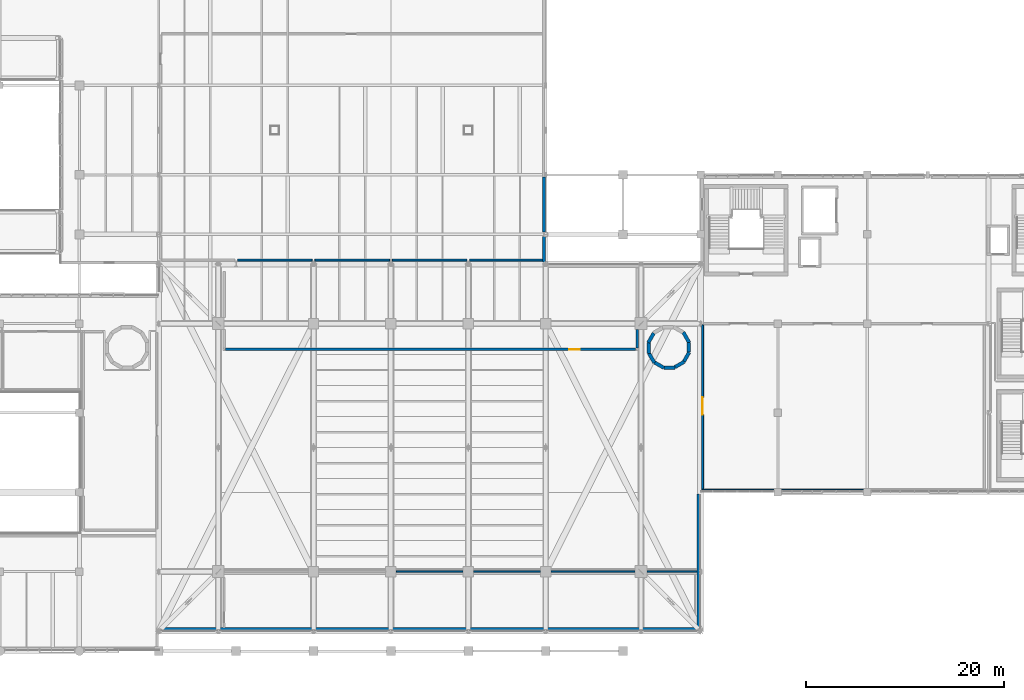
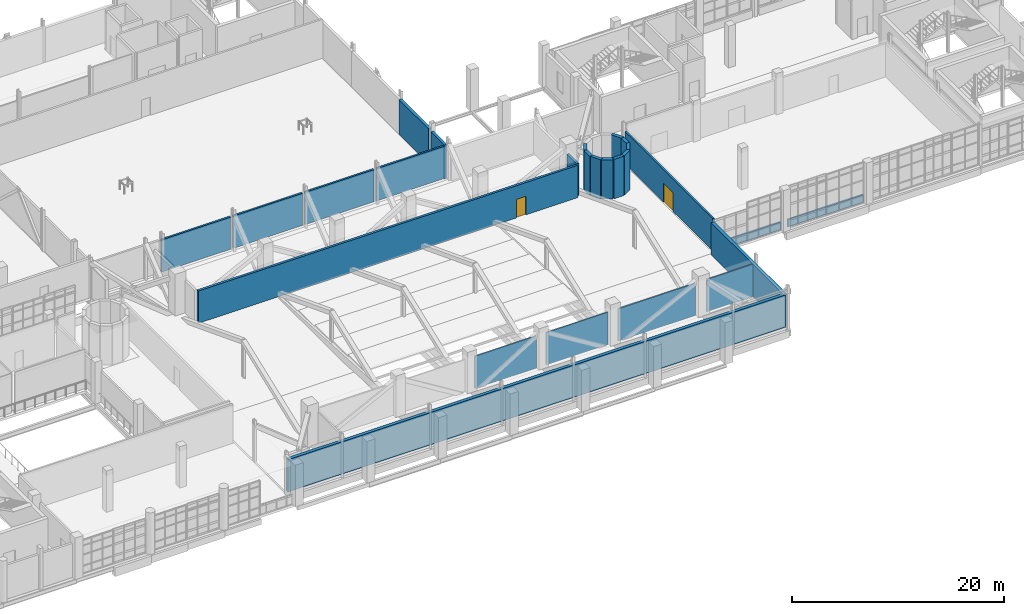
# One storey, part 113 of 127: 26 walls, 2 doors, 2 openings.
"""IFC4 building model written with IfcOpenShell, lengths in metres."""

from ifc_helpers import new_model, si_unit, derived_unit, direction, frame, frame_2d, origin, place, context, subcontext, project, spatial, rectangle, extrude, material, layer, layer_set, type_object, element, fill, save


model = new_model("IFC4")

# Units and contexts
model_context = context("Model", 3, precision=1e-05, world=origin(), true_north=direction((0.0, 1.0)))
body_context = subcontext(model_context, "Body", "Model", "MODEL_VIEW")
ifc_project = project(units=[si_unit("LENGTHUNIT", "METRE"), si_unit("AREAUNIT", "SQUARE_METRE"), si_unit("VOLUMEUNIT", "CUBIC_METRE"), si_unit("PLANEANGLEUNIT", "RADIAN"), si_unit("MASSUNIT", "GRAM", prefix="KILO"), derived_unit("THERMALTRANSMITTANCEUNIT", [(si_unit("POWERUNIT", "WATT"), 1), (si_unit("LENGTHUNIT", "METRE"), -2), (si_unit("THERMODYNAMICTEMPERATUREUNIT", "KELVIN"), -1)])], contexts=[model_context])

# Site, building, storey
site_placement = place(None, origin())
site = spatial("IfcSite", under=ifc_project, at=site_placement, CompositionType="ELEMENT")
building_placement = place(site_placement, origin())
building = spatial("IfcBuilding", under=site, at=building_placement, Name="Nallur Shell Playhouse", CompositionType="ELEMENT")
storey_placement = place(building_placement, frame((0.0, 0.0, 5.39990234375)))
storey = spatial("IfcBuildingStorey", under=building, at=storey_placement, Name="L02", CompositionType="ELEMENT", Elevation=5.39990234375)

# Walls
ifc_material_1 = material(Name="Concrete M45", Category="concrete")
ifc_layer_1 = layer(ifc_material_1, 0.39990234375)
ifc_layer_set_1 = layer_set([ifc_layer_1], Name="Concrete M45")
wall_type_1 = type_object("IfcWallType", Name="WL-CORE-400", PredefinedType="SHEAR", material=ifc_layer_set_1)
wall_1_placement = place(storey_placement, frame((117.46142578125, 39.08642578125, 0.0), z_axis=(0.0, 0.0, 1.0), x_axis=(-0.500080723117, 0.865978793255, 0.0)))
element("IfcWall", 1, at=wall_1_placement, inside=storey, type_object=wall_type_1, Name="Metabolist service drum DR-2 facet 1 (L02)", PredefinedType="SHEAR", context=body_context, shape_type="SweptSolid", body=[
    extrude(rectangle(XDim=1.218994140625, YDim=0.35009765625, at=frame_2d((0.609375, 0.0))), origin(), (0.0, 0.0, 1.0), 4.5400390625),
])
for number, where, z_axis, x_axis, name in (
    (2, (113.885009765625, 40.032958984375, 0.0), (0.0, 0.0, 1.0), (-0.499935162227, -0.866062834654, 0.0), "Metabolist service drum DR-2 facet 5 (L02)"),
    (3, (113.37158203125, 39.08349609375, 0.0), (0.0, 0.0, 1.0), (0.0, -1.0, 0.0), "Metabolist service drum DR-2 facet 6 (L02)"),
    (4, (113.401611328125, 38.00439453125, 0.0), (0.0, 0.0, 1.0), (0.499935162227, -0.866062834654, 0.0), "Metabolist service drum DR-2 facet 7 (L02)"),
    (5, (113.967041015625, 37.085205078125, 0.0), (0.0, 0.0, 1.0), (0.865966109163, -0.500102687236, 0.0), "Metabolist service drum DR-2 facet 8 (L02)"),
    (6, (114.91650390625, 36.571533203125, 0.0), (0.0, 0.0, 1.0), (1.0, 0.0, 0.0), "Metabolist service drum DR-2 facet 9 (L02)"),
    (7, (115.99560546875, 36.6015625, 0.0), (0.0, 0.0, 1.0), (0.865966109163, 0.500102687236, 0.0), "Metabolist service drum DR-2 facet 10 (L02)"),
    (8, (116.914794921875, 37.1669921875, 0.0), (0.0, 0.0, 1.0), (0.500102687236, 0.865966109163, 0.0), "Metabolist service drum DR-2 facet 11 (L02)"),
):
    element("IfcWall", number, at=place(storey_placement, frame(where, z_axis=z_axis, x_axis=x_axis)), inside=storey, type_object=wall_type_1, Name=name, PredefinedType="SHEAR", context=body_context, shape_type="SweptSolid", body=[
        extrude(rectangle(XDim=1.093017578125, YDim=0.35009765625, at=frame_2d((0.54638671875, 0.0))), origin(), (0.0, 0.0, 1.0), 4.5400390625),
    ])
wall_2_placement = place(storey_placement, frame((117.428466796875, 38.116455078125, 0.0), z_axis=(0.0, 0.0, 1.0), x_axis=(0.0, 1.0, 0.0)))
element("IfcWall", 9, at=wall_2_placement, inside=storey, type_object=wall_type_1, Name="Metabolist service drum DR-2 facet 12 (L02)", PredefinedType="SHEAR", context=body_context, shape_type="SweptSolid", body=[
    extrude(rectangle(XDim=0.967041015625, YDim=0.35009765625, at=frame_2d((0.4833984375, 0.0))), origin(), (0.0, 0.0, 1.0), 4.5400390625),
])
ifc_material_2 = material(Name="Concrete M35", Category="concrete")
ifc_layer_2 = layer(ifc_material_2, 0.35009765625)
ifc_layer_set_2 = layer_set([ifc_layer_2], Name="Concrete M35")
wall_type_2 = type_object("IfcWallType", Name="WL-EXT-AC350", PredefinedType="STANDARD", material=ifc_layer_set_2)
wall_3_placement = place(storey_placement, frame((118.405029296875, 23.81494140625, 0.0), z_axis=(0.0, 0.0, 1.0), x_axis=(0.0, -1.0, 0.0)))
element("IfcWall", 10, at=wall_3_placement, inside=storey, type_object=wall_type_2, Name="L02 exterior wall EW-L02-109", PredefinedType="STANDARD", context=body_context, shape_type="SweptSolid", body=[
    extrude(rectangle(XDim=13.6298828125, YDim=0.35009765625, at=frame_2d((6.81494140625, 0.0))), origin(), (0.0, 0.0, 1.0), 3.72509765625),
])
wall_4_placement = place(storey_placement, frame((118.4150390625, 10.195068359375, 0.0), z_axis=(0.0, 0.0, 1.0), x_axis=(-1.0, 0.0, 0.0)))
element("IfcWall", 11, at=wall_4_placement, inside=storey, type_object=wall_type_2, Name="L02 exterior wall EW-L02-110", PredefinedType="STANDARD", context=body_context, shape_type="SweptSolid", body=[
    extrude(rectangle(XDim=54.22998046875, YDim=0.35009765625, at=frame_2d((27.114990234375, 0.0))), origin(), (0.0, 0.0, 1.0), 3.72509765625),
])
ifc_layer_3 = layer(ifc_material_2, 0.300048828125)
ifc_layer_set_3 = layer_set([ifc_layer_3], Name="Concrete M35")
wall_type_3 = type_object("IfcWallType", Name="WL-EXT-RC300", PredefinedType="STANDARD", material=ifc_layer_set_3)
wall_5_placement = place(storey_placement, frame((102.830078125, 55.76708984375, 0.0), z_axis=(0.0, 0.0, 1.0), x_axis=(0.0, -1.0, 0.0)))
element("IfcWall", 12, at=wall_5_placement, inside=storey, type_object=wall_type_3, Name="L02 exterior wall EW-L02-100", PredefinedType="STANDARD", context=body_context, shape_type="SweptSolid", body=[
    extrude(rectangle(XDim=5.5341796875, YDim=0.300048828125, at=frame_2d((2.76708984375, 0.0))), origin(), (0.0, 0.0, 1.0), 3.97509765625),
])
wall_6_placement = place(storey_placement, frame((102.830078125, 49.76708984375, 0.0), z_axis=(0.0, 0.0, 1.0), x_axis=(0.0, -1.0, 0.0)))
element("IfcWall", 13, at=wall_6_placement, inside=storey, type_object=wall_type_3, Name="L02 exterior wall EW-L02-101", PredefinedType="STANDARD", context=body_context, shape_type="SweptSolid", body=[
    extrude(rectangle(XDim=2.5341796875, YDim=0.300048828125, at=frame_2d((1.26708984375, 0.0))), origin(), (0.0, 0.0, 1.0), 3.925048828125),
])
ifc_layer_4 = layer(ifc_material_2, 0.179931640625)
ifc_layer_set_4 = layer_set([ifc_layer_4], Name="Concrete M35")
wall_type_4 = type_object("IfcWallType", Name="WL-PARAPET-180", PredefinedType="PARAPET", material=ifc_layer_set_4)
wall_7_placement = place(storey_placement, frame((135.014892578125, 24.239990234375, 0.0), z_axis=(0.0, 0.0, 1.0), x_axis=(-1.0, 0.0, 0.0)))
element("IfcWall", 14, at=wall_7_placement, inside=storey, type_object=wall_type_4, Name="L02 curtain-wall internal spandrel upstand 019", PredefinedType="PARAPET", context=body_context, shape_type="SweptSolid", body=[
    extrude(rectangle(XDim=8.22998046875, YDim=0.179931640625, at=frame_2d((4.114990234375, 0.0))), origin(), (0.0, 0.0, 1.0), 0.880126953125),
])
wall_8_placement = place(storey_placement, frame((126.014892578125, 24.239990234375, 0.0), z_axis=(0.0, 0.0, 1.0), x_axis=(-1.0, 0.0, 0.0)))
element("IfcWall", 15, at=wall_8_placement, inside=storey, type_object=wall_type_4, Name="L02 curtain-wall internal spandrel upstand 020", PredefinedType="PARAPET", context=body_context, shape_type="SweptSolid", body=[
    extrude(rectangle(XDim=7.294921875, YDim=0.179931640625, at=frame_2d((3.6474609375, 0.0))), origin(), (0.0, 0.0, 1.0), 0.880126953125),
])

# Wall, opening, door
ifc_material_3 = material(Name="Concrete M30", Category="concrete")
ifc_layer_5 = layer(ifc_material_3, 0.199951171875)
ifc_layer_set_5 = layer_set([ifc_layer_5], Name="Concrete M30")
wall_type_5 = type_object("IfcWallType", Name="WL-PART-AC200", PredefinedType="PARTITIONING", material=ifc_layer_set_5)
wall_9_placement = place(storey_placement, frame((118.800048828125, 24.333984375, 0.0), z_axis=(0.0, 0.0, 1.0), x_axis=(0.0, 1.0, 0.0)))
wall_9 = element("IfcWall", 16, at=wall_9_placement, inside=storey, type_object=wall_type_5, Name="Studio Theatre Pre-Function Foyer partition IW-L02-0159", PredefinedType="PARTITIONING", context=body_context, shape_type="SweptSolid", body=[
    extrude(rectangle(XDim=16.5458984375, YDim=0.199951171875, at=frame_2d((8.27294921875, 0.0))), origin(), (0.0, 0.0, 1.0), 3.72021484375),
])
opening_1_placement = place(wall_9_placement, frame((7.466064453125, 0.0, 0.0)))
opening_1 = element("IfcOpeningElement", 17, at=opening_1_placement, cuts=wall_9, Name="Opening FD-FL1", PredefinedType="OPENING", context=body_context, shape_type="SweptSolid", body=[
    extrude(rectangle(XDim=1.800048828125, YDim=2.14990234375, at=frame_2d((0.89990234375, 1.074951171875))), frame((0.0, 0.10986328125, 0.0), z_axis=(0.0, -1.0, 0.0), x_axis=(1.0, 0.0, 0.0)), (0.0, 0.0, 1.0), 0.219970703125),
])
ifc_material_4 = material(Name="Firefighting Lobby Smoke-Seal Double Door")
door_type_1 = type_object("IfcDoorType", Name="DR-INT-FFL-DBL", OperationType="DOUBLE_DOOR_SINGLE_SWING", PredefinedType="DOOR", material=ifc_material_4)
door_1_placement = place(opening_1_placement, origin())
door_1 = element("IfcDoor", 18, at=door_1_placement, inside=storey, type_object=door_type_1, Name="L02 circulation link door 0059", OperationType="DOUBLE_DOOR_SINGLE_SWING", OverallHeight=2.14990234375, OverallWidth=1.800048828125, PredefinedType="DOOR", context=body_context, shape_type="SweptSolid", body=[
    extrude(rectangle(XDim=1.800048828125, YDim=2.14990234375, at=frame_2d((0.89990234375, 1.074951171875))), frame((0.0, 0.02490234375, 0.0), z_axis=(0.0, -1.0, 0.0), x_axis=(1.0, 0.0, 0.0)), (0.0, 0.0, 1.0), 0.050048828125),
])
fill(opening_1, door_1)

# Walls
wall_10_placement = place(storey_placement, frame((102.676025390625, 47.39990234375, 0.0), z_axis=(0.0, 0.0, 1.0), x_axis=(-1.0, 0.0, 0.0)))
element("IfcWall", 19, at=wall_10_placement, inside=storey, type_object=wall_type_5, Name="Stage Dimmer, Amplifier & Rack Room partition IW-L02-0177", PredefinedType="PARTITIONING", context=body_context, shape_type="SweptSolid", body=[
    extrude(rectangle(XDim=7.3359375, YDim=0.199951171875, at=frame_2d((3.66796875, 0.0))), origin(), (0.0, 0.0, 1.0), 3.72021484375),
])
for number, where, z_axis, x_axis, name in (
    (20, (95.06005859375, 47.39990234375, 0.0), (0.0, 0.0, 1.0), (-1.0, 0.0, 0.0), "Stage Dimmer, Amplifier & Rack Room partition IW-L02-0178"),
    (21, (87.260009765625, 47.39990234375, 0.0), (0.0, 0.0, 1.0), (-1.0, 0.0, 0.0), "Stage Dimmer, Amplifier & Rack Room partition IW-L02-0179"),
    (22, (79.4599609375, 47.39990234375, 0.0), (0.0, 0.0, 1.0), (-1.0, 0.0, 0.0), "Stage Dimmer, Amplifier & Rack Room partition IW-L02-0180"),
):
    element("IfcWall", number, at=place(storey_placement, frame(where, z_axis=z_axis, x_axis=x_axis)), inside=storey, type_object=wall_type_5, Name=name, PredefinedType="PARTITIONING", context=body_context, shape_type="SweptSolid", body=[
        extrude(rectangle(XDim=7.52001953125, YDim=0.199951171875, at=frame_2d((3.760009765625, 0.0))), origin(), (0.0, 0.0, 1.0), 3.72021484375),
    ])
ifc_layer_6 = layer(ifc_material_3, 0.25)
ifc_layer_set_6 = layer_set([ifc_layer_6], Name="Concrete M30")
wall_type_6 = type_object("IfcWallType", Name="WL-PART-AC250", PredefinedType="PARTITIONING", material=ifc_layer_set_6)
wall_11_placement = place(storey_placement, frame((112.199951171875, 40.385009765625, 0.0), z_axis=(0.0, 0.0, 1.0), x_axis=(0.0, -1.0, 0.0)))
element("IfcWall", 23, at=wall_11_placement, inside=storey, type_object=wall_type_6, Name="Main Theatre Auditorium Stalls Bowl partition IW-L02-0135", PredefinedType="PARTITIONING", context=body_context, shape_type="SweptSolid", body=[
    extrude(rectangle(XDim=1.840087890625, YDim=0.25, at=frame_2d((0.919921875, 0.0))), origin(), (0.0, 0.0, 1.0), 3.72021484375),
])

# Wall, opening, door
wall_12_placement = place(storey_placement, frame((112.054931640625, 38.39990234375, 0.0), z_axis=(0.0, 0.0, 1.0), x_axis=(-1.0, 0.0, 0.0)))
wall_12 = element("IfcWall", 24, at=wall_12_placement, inside=storey, type_object=wall_type_6, Name="Main Theatre Auditorium Stalls Bowl partition IW-L02-0136", PredefinedType="PARTITIONING", context=body_context, shape_type="SweptSolid", body=[
    extrude(rectangle(XDim=41.309814453125, YDim=0.25, at=frame_2d((20.65478515625, 0.0))), origin(), (0.0, 0.0, 1.0), 3.72021484375),
])
opening_2_placement = place(wall_12_placement, frame((5.635986328125, 0.0, 0.0)))
opening_2 = element("IfcOpeningElement", 25, at=opening_2_placement, cuts=wall_12, Name="Opening ID-02", PredefinedType="OPENING", context=body_context, shape_type="SweptSolid", body=[
    extrude(rectangle(XDim=1.050048828125, YDim=2.14990234375, at=frame_2d((0.52490234375, 1.074951171875))), frame((0.0, 0.135009765625, 0.0), z_axis=(0.0, -1.0, 0.0), x_axis=(1.0, 0.0, 0.0)), (0.0, 0.0, 1.0), 0.27001953125),
])
ifc_material_5 = material(Name="Solid-Core Engineered Timber Fire Door", Category="wood")
door_type_2 = type_object("IfcDoorType", Name="DR-INT-SGL1050R", OperationType="SINGLE_SWING_RIGHT", PredefinedType="DOOR", material=ifc_material_5)
door_2_placement = place(opening_2_placement, origin())
door_2 = element("IfcDoor", 26, at=door_2_placement, inside=storey, type_object=door_type_2, Name="Main Theatre Auditorium Stalls Bowl vomitory door 1", OperationType="SINGLE_SWING_RIGHT", OverallHeight=2.14990234375, OverallWidth=1.050048828125, PredefinedType="DOOR", context=body_context, shape_type="SweptSolid", body=[
    extrude(rectangle(XDim=1.050048828125, YDim=2.14990234375, at=frame_2d((0.52490234375, 1.074951171875))), frame((0.0, 0.02490234375, 0.0), z_axis=(0.0, -1.0, 0.0), x_axis=(1.0, 0.0, 0.0)), (0.0, 0.0, 1.0), 0.050048828125),
])
fill(opening_2, door_2)

# Walls
ifc_material_6 = material(Name="Concrete M25 Fire Blockwork", Category="masonry")
ifc_layer_7 = layer(ifc_material_6, 0.14990234375)
ifc_layer_set_7 = layer_set([ifc_layer_7], Name="Concrete M25 Fire Blockwork")
wall_type_7 = type_object("IfcWallType", Name="WL-PART-FR150", PredefinedType="PARTITIONING", material=ifc_layer_set_7)
for number, where, z_axis, x_axis, name in (
    (27, (87.93994140625, 16.0, 0.0), (0.0, 0.0, 1.0), (1.0, 0.0, 0.0), "South Cantilevered Stalls Foyer Gallery partition IW-L02-0141"),
    (28, (95.739990234375, 16.0, 0.0), (0.0, 0.0, 1.0), (1.0, 0.0, 0.0), "South Cantilevered Stalls Foyer Gallery partition IW-L02-0142"),
):
    element("IfcWall", number, at=place(storey_placement, frame(where, z_axis=z_axis, x_axis=x_axis)), inside=storey, type_object=wall_type_7, Name=name, PredefinedType="PARTITIONING", context=body_context, shape_type="SweptSolid", body=[
        extrude(rectangle(XDim=6.719970703125, YDim=0.14990234375, at=frame_2d((3.35986328125, 0.0))), origin(), (0.0, 0.0, 1.0), 3.72021484375),
    ])
wall_13_placement = place(storey_placement, frame((103.5400390625, 16.0, 0.0), z_axis=(0.0, 0.0, 1.0), x_axis=(1.0, 0.0, 0.0)))
element("IfcWall", 29, at=wall_13_placement, inside=storey, type_object=wall_type_7, Name="South Cantilevered Stalls Foyer Gallery partition IW-L02-0143", PredefinedType="PARTITIONING", context=body_context, shape_type="SweptSolid", body=[
    extrude(rectangle(XDim=8.445068359375, YDim=0.14990234375, at=frame_2d((4.22265625, 0.0))), origin(), (0.0, 0.0, 1.0), 3.72021484375),
])
wall_14_placement = place(storey_placement, frame((113.215087890625, 16.0, 0.0), z_axis=(0.0, 0.0, 1.0), x_axis=(1.0, 0.0, 0.0)))
element("IfcWall", 30, at=wall_14_placement, inside=storey, type_object=wall_type_7, Name="South Cantilevered Stalls Foyer Gallery partition IW-L02-0144", PredefinedType="PARTITIONING", context=body_context, shape_type="SweptSolid", body=[
    extrude(rectangle(XDim=5.010986328125, YDim=0.14990234375, at=frame_2d((2.50537109375, 0.0))), origin(), (0.0, 0.0, 1.0), 3.72021484375),
])

save(model, "model.ifc")
